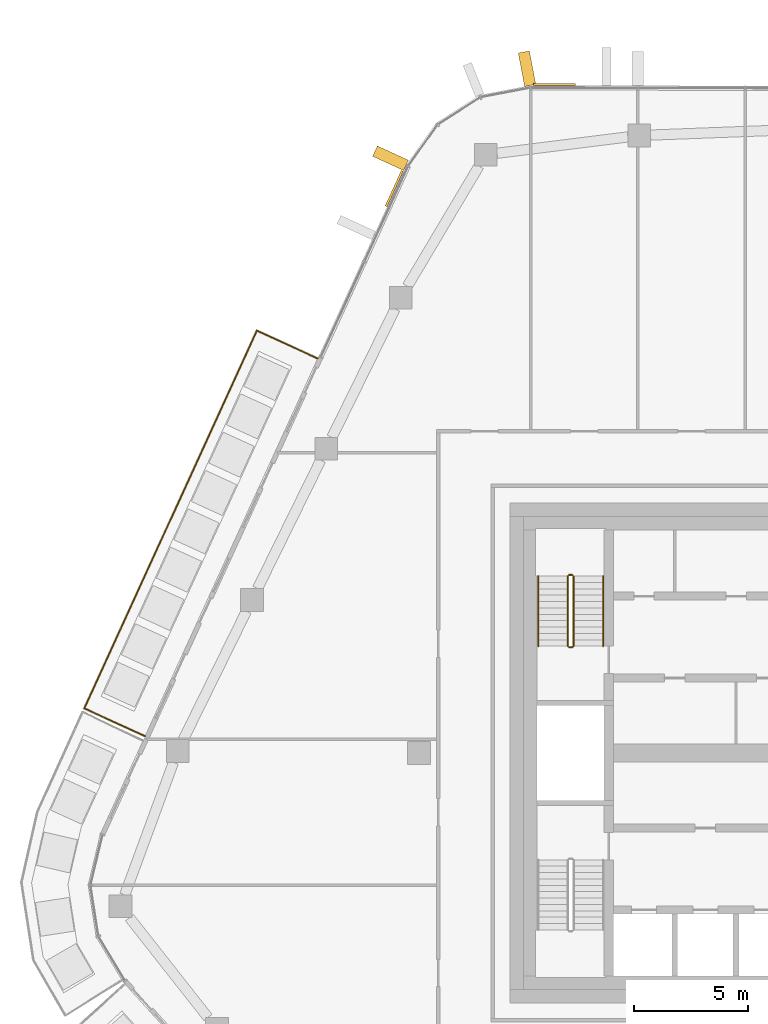
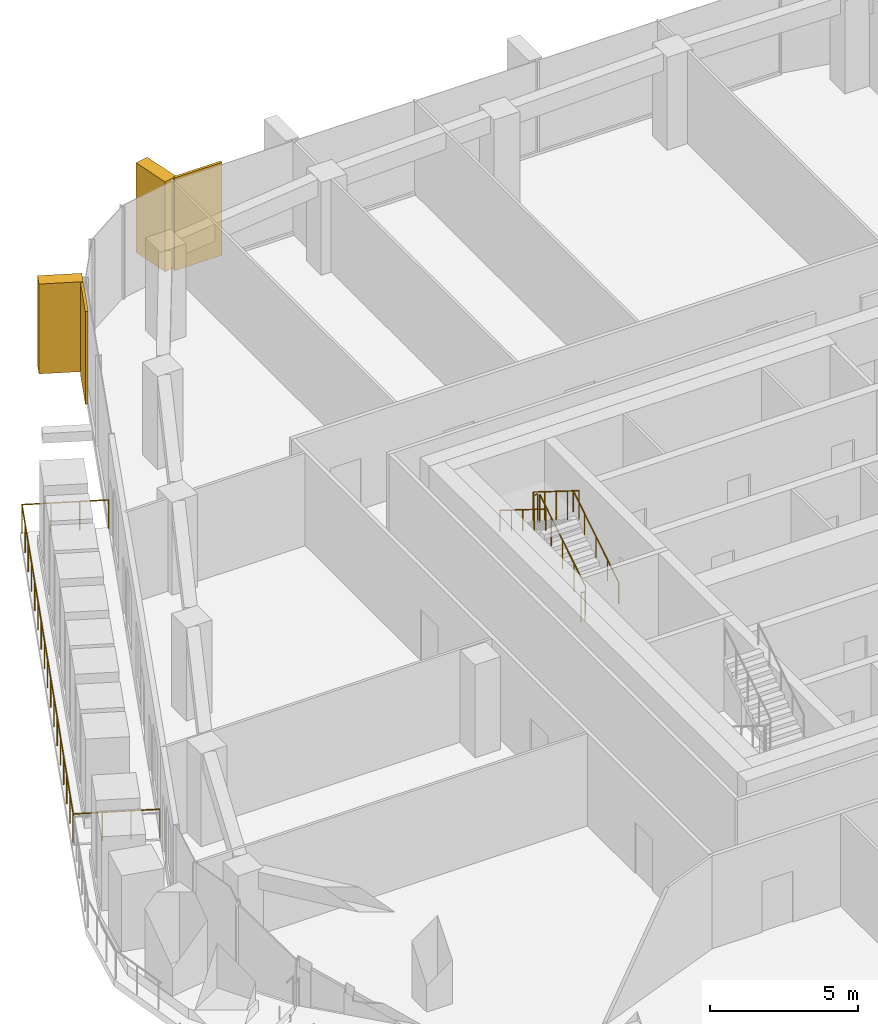
# One storey, part 21 of 23: 7 railings, 4 coverings, 3 elements without a shape of their own.
"""IFC4 building model written with IfcOpenShell, lengths in metres."""

from ifc_helpers import new_model, si_unit, direction, frame, origin, origin_2d, place, context, subcontext, project, spatial, rectangle, circle, extrude, material, layer, layer_set, material_profile, profile_set, type_object, element, aggregate, save


model = new_model("IFC4")

# Units and contexts
model_context = context("Model", 3, precision=1e-05, world=origin(), true_north=direction((0.0, 1.0)))
body_context = subcontext(model_context, "Body", "Model", "MODEL_VIEW")
ifc_project = project(units=[si_unit("LENGTHUNIT", "METRE"), si_unit("AREAUNIT", "SQUARE_METRE"), si_unit("VOLUMEUNIT", "CUBIC_METRE"), si_unit("PLANEANGLEUNIT", "RADIAN"), si_unit("MASSUNIT", "GRAM", prefix="KILO")], contexts=[model_context])

# Site, building, storey
site_placement = place(None, origin())
site = spatial("IfcSite", under=ifc_project, at=site_placement, CompositionType="ELEMENT")
building_placement = place(site_placement, origin())
building = spatial("IfcBuilding", under=site, at=building_placement, Name="Dongbaek Canopy Tower", CompositionType="ELEMENT")
storey_placement = place(building_placement, frame((0.0, 0.0, 315.199951171875)))
storey = spatial("IfcBuildingStorey", under=building, at=storey_placement, Name="L67", CompositionType="ELEMENT", Elevation=315.199951171875)

# Railing
ifc_material_1 = material(Name="Stainless steel", Category="steel")
railing_type_1 = type_object("IfcRailingType", Name="Balcony balustrade 1200", PredefinedType="BALUSTRADE", material=ifc_material_1)
railing_1_placement = place(storey_placement, frame((-22.455078125, 17.355712890625, 0.0)))
element("IfcRailing", 1, at=railing_1_placement, inside=storey, type_object=railing_type_1, Name="Balcony guard L67 2", PredefinedType="BALUSTRADE", context=body_context, shape_type="SweptSolid", body=[
    extrude(circle(Radius=0.02392578125, at=origin_2d()), frame((0.0, 0.0, 1.17578125), z_axis=(-0.90949421215, 0.415716583823, 0.0), x_axis=(-0.415716583823, -0.90949421215, 0.0)), (0.0, 0.0, 1.0), 2.93994140625),
    extrude(circle(Radius=0.02392578125, at=origin_2d()), frame((-2.673828125, 1.22216796875, 1.17578125), z_axis=(-0.41571932956, -0.909492957109, 0.0), x_axis=(0.909492957109, -0.41571932956, 0.0)), (0.0, 0.0, 1.0), 18.2666015625),
    extrude(circle(Radius=0.02392578125, at=origin_2d()), frame((-10.267578125, -15.39111328125, 1.17578125), z_axis=(0.90947716676, -0.415753873274, 0.0), x_axis=(0.415753873274, 0.90947716676, 0.0)), (0.0, 0.0, 1.0), 2.940185546875),
    extrude(circle(Radius=0.02099609375, at=origin_2d()), origin(), (0.0, 0.0, 1.0), 1.15185546875),
    extrude(circle(Radius=0.02099609375, at=origin_2d()), frame((-0.891357421875, 0.407470703125, 0.0)), (0.0, 0.0, 1.0), 1.15185546875),
    extrude(circle(Radius=0.02099609375, at=origin_2d()), frame((-1.782470703125, 0.814697265625, 0.0)), (0.0, 0.0, 1.0), 1.15185546875),
    extrude(circle(Radius=0.02099609375, at=origin_2d()), frame((-2.673828125, 1.22216796875, 0.0)), (0.0, 0.0, 1.0), 1.15185546875),
    extrude(circle(Radius=0.02099609375, at=origin_2d()), frame((-3.1484375, 0.183837890625, 0.0)), (0.0, 0.0, 1.0), 1.15185546875),
    extrude(circle(Radius=0.02099609375, at=origin_2d()), frame((-3.623046875, -0.8544921875, 0.0)), (0.0, 0.0, 1.0), 1.15185546875),
    extrude(circle(Radius=0.02099609375, at=origin_2d()), frame((-4.09765625, -1.892822265625, 0.0)), (0.0, 0.0, 1.0), 1.15185546875),
    extrude(circle(Radius=0.02099609375, at=origin_2d()), frame((-4.572265625, -2.93115234375, 0.0)), (0.0, 0.0, 1.0), 1.15185546875),
    extrude(circle(Radius=0.02099609375, at=origin_2d()), frame((-5.046875, -3.969482421875, 0.0)), (0.0, 0.0, 1.0), 1.15185546875),
    extrude(circle(Radius=0.02099609375, at=origin_2d()), frame((-5.521484375, -5.0078125, 0.0)), (0.0, 0.0, 1.0), 1.15185546875),
    extrude(circle(Radius=0.02099609375, at=origin_2d()), frame((-5.99609375, -6.046142578125, 0.0)), (0.0, 0.0, 1.0), 1.15185546875),
    extrude(circle(Radius=0.02099609375, at=origin_2d()), frame((-6.470703125, -7.08447265625, 0.0)), (0.0, 0.0, 1.0), 1.15185546875),
    extrude(circle(Radius=0.02099609375, at=origin_2d()), frame((-6.9453125, -8.122802734375, 0.0)), (0.0, 0.0, 1.0), 1.15185546875),
    extrude(circle(Radius=0.02099609375, at=origin_2d()), frame((-7.419921875, -9.1611328125, 0.0)), (0.0, 0.0, 1.0), 1.15185546875),
    extrude(circle(Radius=0.02099609375, at=origin_2d()), frame((-7.89453125, -10.199462890625, 0.0)), (0.0, 0.0, 1.0), 1.15185546875),
    extrude(circle(Radius=0.02099609375, at=origin_2d()), frame((-8.369140625, -11.23779296875, 0.0)), (0.0, 0.0, 1.0), 1.15185546875),
    extrude(circle(Radius=0.02099609375, at=origin_2d()), frame((-8.84375, -12.276123046875, 0.0)), (0.0, 0.0, 1.0), 1.15185546875),
    extrude(circle(Radius=0.02099609375, at=origin_2d()), frame((-9.318359375, -13.314453125, 0.0)), (0.0, 0.0, 1.0), 1.15185546875),
    extrude(circle(Radius=0.02099609375, at=origin_2d()), frame((-9.79296875, -14.352783203125, 0.0)), (0.0, 0.0, 1.0), 1.15185546875),
    extrude(circle(Radius=0.02099609375, at=origin_2d()), frame((-10.267578125, -15.39111328125, 0.0)), (0.0, 0.0, 1.0), 1.15185546875),
    extrude(circle(Radius=0.02099609375, at=origin_2d()), frame((-9.376220703125, -15.798583984375, 0.0)), (0.0, 0.0, 1.0), 1.15185546875),
    extrude(circle(Radius=0.02099609375, at=origin_2d()), frame((-8.48486328125, -16.2060546875, 0.0)), (0.0, 0.0, 1.0), 1.15185546875),
    extrude(circle(Radius=0.02099609375, at=origin_2d()), frame((-7.593505859375, -16.613525390625, 0.0)), (0.0, 0.0, 1.0), 1.15185546875),
])

# Curtain wall, covering
ifc_material_2 = material(Name="Aluminium 6063-T6 pale anodised", Category="aluminium")
ifc_layer_1 = layer(ifc_material_2, 0.199951171875)
ifc_layer_set_1 = layer_set([ifc_layer_1], Name="CW-1 unitised tower curtain wall")
curtain_wall_type = type_object("IfcCurtainWallType", Name="CW-1 unitised tower curtain wall", PredefinedType="NOTDEFINED", material=ifc_layer_set_1)
curtain_wall_1_placement = place(storey_placement, origin())
curtain_wall_1 = element("IfcCurtainWall", 2, at=curtain_wall_1_placement, inside=storey, type_object=curtain_wall_type, Name="CW-1 curtain wall F1.1", PredefinedType="NOTDEFINED")
ifc_material_3 = material(Name="Perforated aluminium 6063-T6 pale metal screen", Category="aluminium")
ifc_layer_2 = layer(ifc_material_3, 0.10009765625)
ifc_layer_set_2 = layer_set([ifc_layer_2], Name="Facet screen FS1 100 pale metal")
covering_type_1 = type_object("IfcCoveringType", Name="Facet screen FS1 100 pale metal", PredefinedType="CLADDING", material=ifc_layer_set_2)
covering_1_placement = place(storey_placement, frame((-12.033203125, 29.411865234375, 0.0), z_axis=(0.0, 0.0, 1.0), x_axis=(-0.999997623984, 0.002179914509, 0.0)))
covering_1 = element("IfcCovering", 3, at=covering_1_placement, type_object=covering_type_1, Name="Facet screen L67 F1", PredefinedType="CLADDING", context=body_context, shape_type="SweptSolid", body=[
    extrude(rectangle(XDim=1.85009765625, YDim=0.10009765625, at=origin_2d()), origin(), (0.0, 0.0, 1.0), 3.820068359375),
])
aggregate(curtain_wall_1, [covering_1])

curtain_wall_2_placement = place(storey_placement, origin())
curtain_wall_2 = element("IfcCurtainWall", 4, at=curtain_wall_2_placement, inside=storey, type_object=curtain_wall_type, Name="CW-1 curtain wall F2.1", PredefinedType="NOTDEFINED")
covering_2_placement = place(storey_placement, frame((-19.089599609375, 24.8291015625, 0.0), z_axis=(0.0, 0.0, 1.0), x_axis=(-0.415712594974, -0.909496035384, 0.0)))
covering_2 = element("IfcCovering", 5, at=covering_2_placement, type_object=covering_type_1, Name="Facet screen L67 F2", PredefinedType="CLADDING", context=body_context, shape_type="SweptSolid", body=[
    extrude(rectangle(XDim=1.715087890625, YDim=0.10009765625, at=origin_2d()), origin(), (0.0, 0.0, 1.0), 3.820068359375),
])

curtain_wall_3_placement = place(storey_placement, origin())
curtain_wall_3 = element("IfcCurtainWall", 6, at=curtain_wall_3_placement, inside=storey, type_object=curtain_wall_type, Name="CW-1 curtain wall K2.1", PredefinedType="NOTDEFINED")
ifc_material_4 = material(Name="Aluminium 6063-T6 pale metal fin", Category="aluminium")
ifc_material_profile = material_profile(ifc_material_4, rectangle(XDim=1.5, YDim=0.5, at=origin_2d()), Name="Fin FN1 500 x 1500 pale metal")
ifc_profile_set = profile_set([ifc_material_profile], Name="Aluminium 6063-T6 pale metal fin")
covering_type_2 = type_object("IfcCoveringType", Name="Fin FN1 500 x 1500 pale metal", PredefinedType="CLADDING", material=ifc_profile_set)
covering_3_placement = place(storey_placement, frame((-13.24658203125, 30.10302734375, 0.1201171875), z_axis=(0.0, 0.0, 1.0), x_axis=(-0.187413340747, 0.982281140871, 0.0)))
covering_3 = element("IfcCovering", 7, at=covering_3_placement, type_object=covering_type_2, Name="Fin K2.1.1", PredefinedType="CLADDING", context=body_context, shape_type="SweptSolid", body=[
    extrude(rectangle(XDim=1.5, YDim=0.5, at=origin_2d()), origin(), (0.0, 0.0, 1.0), 3.699951171875),
])
aggregate(curtain_wall_3, [covering_3])

# Covering
covering_4_placement = place(storey_placement, frame((-19.2529296875, 26.16552734375, 0.1201171875), z_axis=(0.0, 0.0, 1.0), x_axis=(-0.909495883664, 0.415712926909, 0.0)))
covering_4 = element("IfcCovering", 8, at=covering_4_placement, type_object=covering_type_2, Name="Fin F2.1.1", PredefinedType="CLADDING", context=body_context, shape_type="SweptSolid", body=[
    extrude(rectangle(XDim=1.5, YDim=0.5, at=origin_2d()), origin(), (0.0, 0.0, 1.0), 3.699951171875),
])

aggregate(curtain_wall_2, [covering_4, covering_2])

# Railings
ifc_material_5 = material(Name="Stainless steel tube and balusters", Category="steel")
railing_type_2 = type_object("IfcRailingType", Name="Stair guard 1200", PredefinedType="GUARDRAIL", material=ifc_material_5)
railing_2_placement = place(storey_placement, frame((-11.199951171875, 4.699951171875, 0.175048828125)))
element("IfcRailing", 9, at=railing_2_placement, inside=storey, type_object=railing_type_2, Name="L67 ST-C stair guard 1", PredefinedType="GUARDRAIL", context=body_context, shape_type="SweptSolid", body=[
    extrude(circle(Radius=0.02392578125, at=origin_2d()), frame((0.0, 0.0, 1.17578125), z_axis=(0.0, 0.847998304005, 0.529998940003), x_axis=(-1.0, 0.0, 0.0)), (0.0, 0.0, 1.0), 3.632080078125),
    extrude(circle(Radius=0.02099609375, at=origin_2d()), origin(), (0.0, 0.0, 1.0), 1.15185546875),
    extrude(circle(Radius=0.02099609375, at=origin_2d()), frame((0.0, 0.77001953125, 0.481201171875)), (0.0, 0.0, 1.0), 1.15185546875),
    extrude(circle(Radius=0.02099609375, at=origin_2d()), frame((0.0, 1.5400390625, 0.96240234375)), (0.0, 0.0, 1.0), 1.15185546875),
    extrude(circle(Radius=0.02099609375, at=origin_2d()), frame((0.0, 2.31005859375, 1.44384765625)), (0.0, 0.0, 1.0), 1.15185546875),
    extrude(circle(Radius=0.02099609375, at=origin_2d()), frame((0.0, 3.080078125, 1.925048828125)), (0.0, 0.0, 1.0), 1.15185546875),
])
railing_3_placement = place(storey_placement, frame((-11.25, 7.830078125, 2.10009765625)))
element("IfcRailing", 10, at=railing_3_placement, inside=storey, type_object=railing_type_2, Name="L67 ST-C stair guard 2", PredefinedType="GUARDRAIL", context=body_context, shape_type="SweptSolid", body=[
    extrude(circle(Radius=0.02392578125, at=origin_2d()), frame((0.0, 0.0, 1.17578125), z_axis=(-1.0, 0.0, 0.0), x_axis=(0.0, -1.0, 0.0)), (0.0, 0.0, 1.0), 0.14990234375),
    extrude(circle(Radius=0.02099609375, at=origin_2d()), origin(), (0.0, 0.0, 1.0), 1.15185546875),
    extrude(circle(Radius=0.02099609375, at=origin_2d()), frame((-0.14990234375, 0.0, 0.0)), (0.0, 0.0, 1.0), 1.15185546875),
])
railing_4_placement = place(storey_placement, frame((-11.449951171875, 7.780029296875, 2.275146484375)))
element("IfcRailing", 11, at=railing_4_placement, inside=storey, type_object=railing_type_2, Name="L67 ST-C stair guard 3", PredefinedType="GUARDRAIL", context=body_context, shape_type="SweptSolid", body=[
    extrude(circle(Radius=0.02392578125, at=origin_2d()), frame((0.0, 0.0, 1.17578125), z_axis=(0.0, -0.848028513186, 0.529950602248), x_axis=(1.0, 0.0, 0.0)), (0.0, 0.0, 1.0), 3.632080078125),
    extrude(circle(Radius=0.02099609375, at=origin_2d()), origin(), (0.0, 0.0, 1.0), 1.15185546875),
    extrude(circle(Radius=0.02099609375, at=origin_2d()), frame((0.0, -0.77001953125, 0.481201171875)), (0.0, 0.0, 1.0), 1.15185546875),
    extrude(circle(Radius=0.02099609375, at=origin_2d()), frame((0.0, -1.5400390625, 0.96240234375)), (0.0, 0.0, 1.0), 1.15185546875),
    extrude(circle(Radius=0.02099609375, at=origin_2d()), frame((0.0, -2.31005859375, 1.443603515625)), (0.0, 0.0, 1.0), 1.15185546875),
    extrude(circle(Radius=0.02099609375, at=origin_2d()), frame((0.0, -3.080078125, 1.9248046875)), (0.0, 0.0, 1.0), 1.15185546875),
])
railing_5_placement = place(storey_placement, frame((-11.25, 4.64990234375, 0.0)))
element("IfcRailing", 12, at=railing_5_placement, inside=storey, type_object=railing_type_2, Name="L67 ST-C stair guard 4", PredefinedType="GUARDRAIL", context=body_context, shape_type="SweptSolid", body=[
    extrude(circle(Radius=0.02392578125, at=origin_2d()), frame((0.0, 0.0, 1.17578125), z_axis=(-1.0, 0.0, 0.0), x_axis=(0.0, -1.0, 0.0)), (0.0, 0.0, 1.0), 0.14990234375),
    extrude(circle(Radius=0.02099609375, at=origin_2d()), origin(), (0.0, 0.0, 1.0), 1.15185546875),
    extrude(circle(Radius=0.02099609375, at=origin_2d()), frame((-0.14990234375, 0.0, 0.0)), (0.0, 0.0, 1.0), 1.15185546875),
])
ifc_material_6 = material(Name="Stainless steel tube", Category="steel")
railing_type_3 = type_object("IfcRailingType", Name="Stair handrail 900", PredefinedType="HANDRAIL", material=ifc_material_6)
railing_6_placement = place(storey_placement, frame((-9.89990234375, 4.699951171875, 0.175048828125)))
element("IfcRailing", 13, at=railing_6_placement, inside=storey, type_object=railing_type_3, Name="L67 ST-C stair handrail 1", PredefinedType="HANDRAIL", context=body_context, shape_type="SweptSolid", body=[
    extrude(circle(Radius=0.02392578125, at=origin_2d()), frame((0.0, 0.0, 0.8759765625), z_axis=(0.0, 0.847998304005, 0.529998940003), x_axis=(-1.0, 0.0, 0.0)), (0.0, 0.0, 1.0), 3.632080078125),
    extrude(circle(Radius=0.02099609375, at=origin_2d()), origin(), (0.0, 0.0, 1.0), 0.851806640625),
    extrude(circle(Radius=0.02099609375, at=origin_2d()), frame((0.0, 0.77001953125, 0.481201171875)), (0.0, 0.0, 1.0), 0.851806640625),
    extrude(circle(Radius=0.02099609375, at=origin_2d()), frame((0.0, 1.5400390625, 0.96240234375)), (0.0, 0.0, 1.0), 0.851806640625),
    extrude(circle(Radius=0.02099609375, at=origin_2d()), frame((0.0, 2.31005859375, 1.44384765625)), (0.0, 0.0, 1.0), 0.851806640625),
    extrude(circle(Radius=0.02099609375, at=origin_2d()), frame((0.0, 3.080078125, 1.925048828125)), (0.0, 0.0, 1.0), 0.851806640625),
])
railing_7_placement = place(storey_placement, frame((-12.75, 7.780029296875, 2.275146484375)))
element("IfcRailing", 14, at=railing_7_placement, inside=storey, type_object=railing_type_3, Name="L67 ST-C stair handrail 2", PredefinedType="HANDRAIL", context=body_context, shape_type="SweptSolid", body=[
    extrude(circle(Radius=0.02392578125, at=origin_2d()), frame((0.0, 0.0, 0.8759765625), z_axis=(0.0, -0.848028513186, 0.529950602248), x_axis=(1.0, 0.0, 0.0)), (0.0, 0.0, 1.0), 3.632080078125),
    extrude(circle(Radius=0.02099609375, at=origin_2d()), origin(), (0.0, 0.0, 1.0), 0.851806640625),
    extrude(circle(Radius=0.02099609375, at=origin_2d()), frame((0.0, -0.77001953125, 0.481201171875)), (0.0, 0.0, 1.0), 0.851806640625),
    extrude(circle(Radius=0.02099609375, at=origin_2d()), frame((0.0, -1.5400390625, 0.96240234375)), (0.0, 0.0, 1.0), 0.851806640625),
    extrude(circle(Radius=0.02099609375, at=origin_2d()), frame((0.0, -2.31005859375, 1.443603515625)), (0.0, 0.0, 1.0), 0.851806640625),
    extrude(circle(Radius=0.02099609375, at=origin_2d()), frame((0.0, -3.080078125, 1.9248046875)), (0.0, 0.0, 1.0), 0.851806640625),
])

save(model, "model.ifc")
